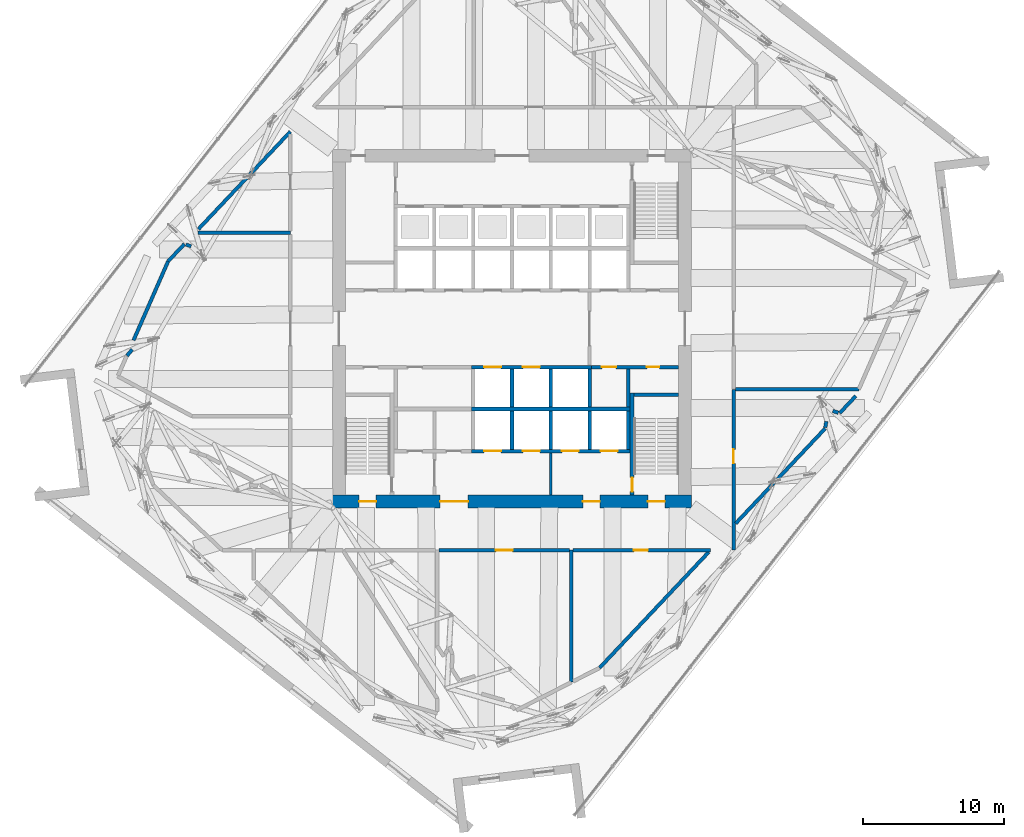
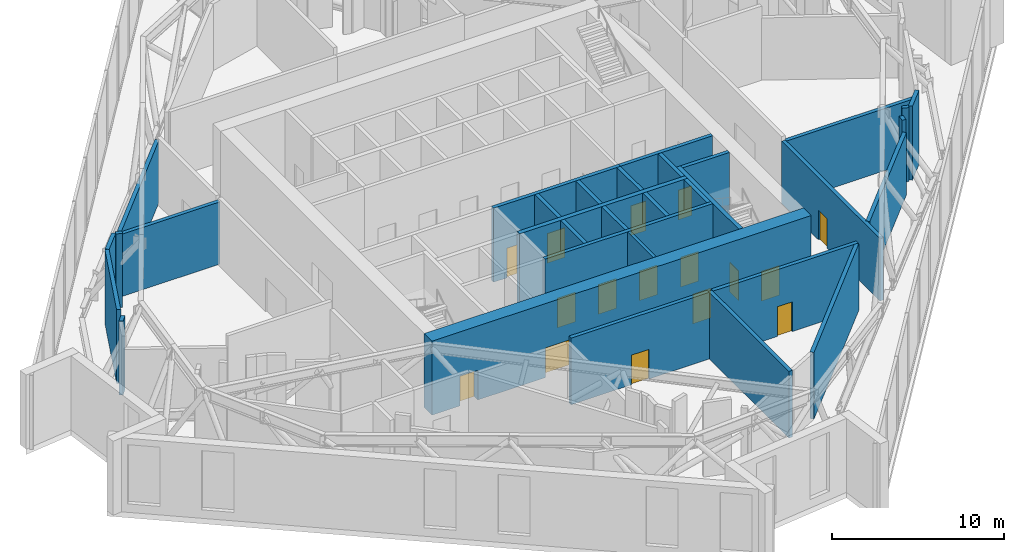
# One storey, part 13 of 23: 32 walls, 16 doors, 16 openings.
"""IFC4 building model written with IfcOpenShell, lengths in metres."""

from ifc_helpers import new_model, si_unit, direction, frame, frame_2d, origin, place, context, subcontext, project, spatial, rectangle, extrude, material, layer, layer_set, type_object, element, fill, save


model = new_model("IFC4")

# Units and contexts
model_context = context("Model", 3, precision=1e-05, world=origin(), true_north=direction((0.0, 1.0)))
body_context = subcontext(model_context, "Body", "Model", "MODEL_VIEW")
ifc_project = project(units=[si_unit("LENGTHUNIT", "METRE"), si_unit("AREAUNIT", "SQUARE_METRE"), si_unit("VOLUMEUNIT", "CUBIC_METRE"), si_unit("PLANEANGLEUNIT", "RADIAN"), si_unit("MASSUNIT", "GRAM", prefix="KILO")], contexts=[model_context])

# Site, building, storey
site_placement = place(None, origin())
site = spatial("IfcSite", under=ifc_project, at=site_placement, CompositionType="ELEMENT")
building_placement = place(site_placement, origin())
building = spatial("IfcBuilding", under=site, at=building_placement, Name="Dilmun Exchange Tower", CompositionType="ELEMENT")
storey_placement = place(building_placement, frame((0.0, 0.0, 237.300048828125)))
storey = spatial("IfcBuildingStorey", under=building, at=storey_placement, Name="L56", CompositionType="ELEMENT", Elevation=237.300048828125)

# Walls
ifc_material_1 = material(Name="Concrete C40/50", Category="concrete")
ifc_layer_1 = layer(ifc_material_1, 0.199951171875)
ifc_layer_set_1 = layer_set([ifc_layer_1], Name="Concrete C40/50")
wall_type_1 = type_object("IfcWallType", Name="Core partition wall 200", PredefinedType="PARTITIONING", material=ifc_layer_set_1)
wall_1_placement = place(storey_placement, frame((2.75, -11.794921875, 0.0), z_axis=(0.0, 0.0, 1.0), x_axis=(0.0, 1.0, 0.0)))
element("IfcWall", 1, at=wall_1_placement, inside=storey, type_object=wall_type_1, Name="L56 core partition wall 02", PredefinedType="PARTITIONING", context=body_context, shape_type="SweptSolid", body=[
    extrude(rectangle(XDim=2.989990234375, YDim=0.199951171875, at=frame_2d((1.4951171875, 0.0))), origin(), (0.0, 0.0, 1.0), 5.239990234375),
])
ifc_layer_2 = layer(ifc_material_1, 0.25)
ifc_layer_set_2 = layer_set([ifc_layer_2], Name="Concrete C40/50")
wall_type_2 = type_object("IfcWallType", Name="Core partition wall 250", PredefinedType="PARTITIONING", material=ifc_layer_set_2)
wall_2_placement = place(storey_placement, frame((8.25, -5.544921875, 0.0), z_axis=(0.0, 0.0, 1.0), x_axis=(0.0, 1.0, 0.0)))
element("IfcWall", 2, at=wall_2_placement, inside=storey, type_object=wall_type_2, Name="L56 core partition wall 08", PredefinedType="PARTITIONING", context=body_context, shape_type="SweptSolid", body=[
    extrude(rectangle(XDim=2.68994140625, YDim=0.25, at=frame_2d((1.344970703125, 0.0))), origin(), (0.0, 0.0, 1.0), 5.239990234375),
])

# Wall, openings, doors
wall_3_placement = place(storey_placement, frame((5.6298828125, -2.72509765625, 0.0), z_axis=(0.0, 0.0, 1.0), x_axis=(1.0, 0.0, 0.0)))
wall_3 = element("IfcWall", 3, at=wall_3_placement, inside=storey, type_object=wall_type_2, Name="L56 core partition wall 10", PredefinedType="PARTITIONING", context=body_context, shape_type="SweptSolid", body=[
    extrude(rectangle(XDim=6.1650390625, YDim=0.25, at=frame_2d((3.08251953125, 0.0))), origin(), (0.0, 0.0, 1.0), 5.239990234375),
])
opening_1_placement = place(wall_3_placement, frame((0.7451171875, 0.0, 0.0)))
opening_1 = element("IfcOpeningElement", 4, at=opening_1_placement, cuts=wall_3, Name="Opening CD4", PredefinedType="OPENING", context=body_context, shape_type="SweptSolid", body=[
    extrude(rectangle(XDim=1.0, YDim=2.10009765625, at=frame_2d((0.5, 1.050048828125))), frame((0.0, 0.135009765625, 0.0), z_axis=(0.0, -1.0, 0.0), x_axis=(1.0, 0.0, 0.0)), (0.0, 0.0, 1.0), 0.27001953125),
])
opening_2_placement = place(wall_3_placement, frame((3.919921875, 0.0, 0.0)))
opening_2 = element("IfcOpeningElement", 5, at=opening_2_placement, cuts=wall_3, Name="Opening CD6", PredefinedType="OPENING", context=body_context, shape_type="SweptSolid", body=[
    extrude(rectangle(XDim=0.89990234375, YDim=2.10009765625, at=frame_2d((0.449951171875, 1.050048828125))), frame((0.0, 0.135009765625, 0.0), z_axis=(0.0, -1.0, 0.0), x_axis=(1.0, 0.0, 0.0)), (0.0, 0.0, 1.0), 0.27001953125),
])
ifc_material_2 = material(Name="Fire-rated steel door set", Category="steel")
door_type_1 = type_object("IfcDoorType", Name="Core room door 1000x2100", OperationType="SINGLE_SWING_LEFT", PredefinedType="DOOR", material=ifc_material_2)
door_1_placement = place(opening_1_placement, origin())
door_1 = element("IfcDoor", 6, at=door_1_placement, inside=storey, type_object=door_type_1, Name="L56 door Cleaners' store", OperationType="SINGLE_SWING_LEFT", OverallHeight=2.10009765625, OverallWidth=1.0, PredefinedType="DOOR", context=body_context, shape_type="SweptSolid", body=[
    extrude(rectangle(XDim=1.0, YDim=2.10009765625, at=frame_2d((0.5, 1.050048828125))), frame((0.0, 0.02490234375, 0.0), z_axis=(0.0, -1.0, 0.0), x_axis=(1.0, 0.0, 0.0)), (0.0, 0.0, 1.0), 0.050048828125),
])
fill(opening_1, door_1)
door_type_2 = type_object("IfcDoorType", Name="Core room door 900x2100", OperationType="SINGLE_SWING_LEFT", PredefinedType="DOOR", material=ifc_material_2)
door_2_placement = place(opening_2_placement, origin())
door_2 = element("IfcDoor", 7, at=door_2_placement, inside=storey, type_object=door_type_2, Name="L56 door Comms riser", OperationType="SINGLE_SWING_LEFT", OverallHeight=2.10009765625, OverallWidth=0.89990234375, PredefinedType="DOOR", context=body_context, shape_type="SweptSolid", body=[
    extrude(rectangle(XDim=0.89990234375, YDim=2.10009765625, at=frame_2d((0.449951171875, 1.050048828125))), frame((0.0, 0.02490234375, 0.0), z_axis=(0.0, -1.0, 0.0), x_axis=(1.0, 0.0, 0.0)), (0.0, 0.0, 1.0), 0.050048828125),
])
fill(opening_2, door_2)

ifc_material_3 = material(Name="Concrete C60/75", Category="concrete")
ifc_layer_3 = layer(ifc_material_3, 0.89990234375)
ifc_layer_set_3 = layer_set([ifc_layer_3], Name="Concrete C60/75")
wall_type_3 = type_object("IfcWallType", Name="Core shear wall 900 Concrete C60/75", PredefinedType="SHEAR", material=ifc_layer_set_3)
wall_4_placement = place(storey_placement, frame((-12.699951171875, -12.25, 0.0), z_axis=(0.0, 0.0, 1.0), x_axis=(1.0, 0.0, 0.0)))
wall_4 = element("IfcWall", 8, at=wall_4_placement, inside=storey, type_object=wall_type_3, Name="L56 core shear wall S", PredefinedType="SHEAR", context=body_context, shape_type="SweptSolid", body=[
    extrude(rectangle(XDim=25.39990234375, YDim=0.89990234375, at=frame_2d((12.699951171875, 0.0))), origin(), (0.0, 0.0, 1.0), 5.239990234375),
])
opening_3_placement = place(wall_4_placement, frame((7.60009765625, 0.0, 0.0)))
opening_3 = element("IfcOpeningElement", 9, at=opening_3_placement, cuts=wall_4, Name="Opening CD2", PredefinedType="OPENING", context=body_context, shape_type="SweptSolid", body=[
    extrude(rectangle(XDim=2.0, YDim=2.10009765625, at=frame_2d((1.0, 1.050048828125))), frame((0.0, 0.4599609375, 0.0), z_axis=(0.0, -1.0, 0.0), x_axis=(1.0, 0.0, 0.0)), (0.0, 0.0, 1.0), 0.919921875),
])
opening_4_placement = place(wall_4_placement, frame((17.72509765625, 0.0, 0.0)))
opening_4 = element("IfcOpeningElement", 10, at=opening_4_placement, cuts=wall_4, Name="Opening CD3", PredefinedType="OPENING", context=body_context, shape_type="SweptSolid", body=[
    extrude(rectangle(XDim=1.199951171875, YDim=2.10009765625, at=frame_2d((0.60009765625, 1.050048828125))), frame((0.0, 0.4599609375, 0.0), z_axis=(0.0, -1.0, 0.0), x_axis=(1.0, 0.0, 0.0)), (0.0, 0.0, 1.0), 0.919921875),
])
opening_5_placement = place(wall_4_placement, frame((1.875, 0.0, 0.0)))
opening_5 = element("IfcOpeningElement", 11, at=opening_5_placement, cuts=wall_4, Name="Opening CD3", PredefinedType="OPENING", context=body_context, shape_type="SweptSolid", body=[
    extrude(rectangle(XDim=1.199951171875, YDim=2.10009765625, at=frame_2d((0.60009765625, 1.050048828125))), frame((0.0, 0.4599609375, 0.0), z_axis=(0.0, -1.0, 0.0), x_axis=(1.0, 0.0, 0.0)), (0.0, 0.0, 1.0), 0.919921875),
])
opening_6_placement = place(wall_4_placement, frame((22.324951171875, 0.0, 0.0)))
opening_6 = element("IfcOpeningElement", 12, at=opening_6_placement, cuts=wall_4, Name="Opening CD3", PredefinedType="OPENING", context=body_context, shape_type="SweptSolid", body=[
    extrude(rectangle(XDim=1.199951171875, YDim=2.10009765625, at=frame_2d((0.60009765625, 1.050048828125))), frame((0.0, 0.4599609375, 0.0), z_axis=(0.0, -1.0, 0.0), x_axis=(1.0, 0.0, 0.0)), (0.0, 0.0, 1.0), 0.919921875),
])
door_type_3 = type_object("IfcDoorType", Name="Core service door 2000x2100", OperationType="DOUBLE_DOOR_DOUBLE_SWING", PredefinedType="DOOR", material=ifc_material_2)
door_3_placement = place(opening_3_placement, origin())
door_3 = element("IfcDoor", 13, at=door_3_placement, inside=storey, type_object=door_type_3, Name="L56 door South service lobby", OperationType="SINGLE_SWING_LEFT", OverallHeight=2.10009765625, OverallWidth=2.0, PredefinedType="DOOR", context=body_context, shape_type="SweptSolid", body=[
    extrude(rectangle(XDim=2.0, YDim=2.10009765625, at=frame_2d((1.0, 1.050048828125))), frame((0.0, 0.02490234375, 0.0), z_axis=(0.0, -1.0, 0.0), x_axis=(1.0, 0.0, 0.0)), (0.0, 0.0, 1.0), 0.050048828125),
])
fill(opening_3, door_3)
door_type_4 = type_object("IfcDoorType", Name="Stair exit door 1200x2100", OperationType="SINGLE_SWING_LEFT", PredefinedType="DOOR", material=ifc_material_2)
door_4_placement = place(opening_4_placement, origin())
door_4 = element("IfcDoor", 14, at=door_4_placement, inside=storey, type_object=door_type_4, Name="L56 door Fire-fighting lobby", OperationType="SINGLE_SWING_LEFT", OverallHeight=2.10009765625, OverallWidth=1.199951171875, PredefinedType="DOOR", context=body_context, shape_type="SweptSolid", body=[
    extrude(rectangle(XDim=1.199951171875, YDim=2.10009765625, at=frame_2d((0.60009765625, 1.050048828125))), frame((0.0, 0.02490234375, 0.0), z_axis=(0.0, -1.0, 0.0), x_axis=(1.0, 0.0, 0.0)), (0.0, 0.0, 1.0), 0.050048828125),
])
fill(opening_4, door_4)
door_5_placement = place(opening_5_placement, origin())
door_5 = element("IfcDoor", 15, at=door_5_placement, inside=storey, type_object=door_type_4, Name="L56 door Stair ST2", OperationType="SINGLE_SWING_LEFT", OverallHeight=2.10009765625, OverallWidth=1.199951171875, PredefinedType="DOOR", context=body_context, shape_type="SweptSolid", body=[
    extrude(rectangle(XDim=1.199951171875, YDim=2.10009765625, at=frame_2d((0.60009765625, 1.050048828125))), frame((0.0, 0.02490234375, 0.0), z_axis=(0.0, -1.0, 0.0), x_axis=(1.0, 0.0, 0.0)), (0.0, 0.0, 1.0), 0.050048828125),
])
fill(opening_5, door_5)
door_6_placement = place(opening_6_placement, origin())
door_6 = element("IfcDoor", 16, at=door_6_placement, inside=storey, type_object=door_type_4, Name="L56 door Stair ST3", OperationType="SINGLE_SWING_LEFT", OverallHeight=2.10009765625, OverallWidth=1.199951171875, PredefinedType="DOOR", context=body_context, shape_type="SweptSolid", body=[
    extrude(rectangle(XDim=1.199951171875, YDim=2.10009765625, at=frame_2d((0.60009765625, 1.050048828125))), frame((0.0, 0.02490234375, 0.0), z_axis=(0.0, -1.0, 0.0), x_axis=(1.0, 0.0, 0.0)), (0.0, 0.0, 1.0), 0.050048828125),
])
fill(opening_6, door_6)

# Wall
ifc_layer_4 = layer(ifc_material_1, 0.300048828125)
ifc_layer_set_4 = layer_set([ifc_layer_4], Name="Concrete C40/50")
wall_type_4 = type_object("IfcWallType", Name="Lift shaft shared wall 300", PredefinedType="SOLIDWALL", material=ifc_layer_set_4)
wall_5_placement = place(storey_placement, frame((-2.875, -5.699951171875, 0.0), z_axis=(0.0, 0.0, 1.0), x_axis=(1.0, 0.0, 0.0)))
element("IfcWall", 17, at=wall_5_placement, inside=storey, type_object=wall_type_4, Name="L56 lift shaft rear wall S", PredefinedType="SOLIDWALL", context=body_context, shape_type="SweptSolid", body=[
    extrude(rectangle(XDim=11.25, YDim=0.300048828125, at=frame_2d((5.625, 0.0))), origin(), (0.0, 0.0, 1.0), 5.239990234375),
])

# Wall, openings, doors
ifc_layer_5 = layer(ifc_material_1, 0.25)
ifc_layer_set_5 = layer_set([ifc_layer_5], Name="Concrete C40/50")
wall_type_5 = type_object("IfcWallType", Name="Lift shaft wall 250", PredefinedType="SOLIDWALL", material=ifc_layer_set_5)
wall_6_placement = place(storey_placement, frame((-2.875, -2.72509765625, 0.0), z_axis=(0.0, 0.0, 1.0), x_axis=(1.0, 0.0, 0.0)))
wall_6 = element("IfcWall", 18, at=wall_6_placement, inside=storey, type_object=wall_type_5, Name="L56 lift shaft front wall S1", PredefinedType="SOLIDWALL", context=body_context, shape_type="SweptSolid", body=[
    extrude(rectangle(XDim=8.5, YDim=0.25, at=frame_2d((4.25, 0.0))), origin(), (0.0, 0.0, 1.0), 5.239990234375),
])
opening_7_placement = place(wall_6_placement, frame((0.89990234375, 0.0, 0.0)))
opening_7 = element("IfcOpeningElement", 19, at=opening_7_placement, cuts=wall_6, Name="Opening LD", PredefinedType="OPENING", context=body_context, shape_type="SweptSolid", body=[
    extrude(rectangle(XDim=1.199951171875, YDim=2.10009765625, at=frame_2d((0.60009765625, 1.050048828125))), frame((0.0, 0.135009765625, 0.0), z_axis=(0.0, -1.0, 0.0), x_axis=(1.0, 0.0, 0.0)), (0.0, 0.0, 1.0), 0.27001953125),
])
opening_8_placement = place(wall_6_placement, frame((3.64990234375, 0.0, 0.0)))
opening_8 = element("IfcOpeningElement", 20, at=opening_8_placement, cuts=wall_6, Name="Opening LD", PredefinedType="OPENING", context=body_context, shape_type="SweptSolid", body=[
    extrude(rectangle(XDim=1.199951171875, YDim=2.10009765625, at=frame_2d((0.60009765625, 1.050048828125))), frame((0.0, 0.135009765625, 0.0), z_axis=(0.0, -1.0, 0.0), x_axis=(1.0, 0.0, 0.0)), (0.0, 0.0, 1.0), 0.27001953125),
])
door_type_5 = type_object("IfcDoorType", Name="Lift landing door 1200x2100", OperationType="DOUBLE_DOOR_SLIDING", PredefinedType="DOOR", material=ifc_material_2)
door_7_placement = place(opening_7_placement, origin())
door_7 = element("IfcDoor", 21, at=door_7_placement, inside=storey, type_object=door_type_5, Name="L56 landing door SH56-1", OperationType="DOUBLE_DOOR_SLIDING", OverallHeight=2.10009765625, OverallWidth=1.199951171875, PredefinedType="DOOR", context=body_context, shape_type="SweptSolid", body=[
    extrude(rectangle(XDim=1.199951171875, YDim=2.10009765625, at=frame_2d((0.60009765625, 1.050048828125))), frame((0.0, 0.02490234375, 0.0), z_axis=(0.0, -1.0, 0.0), x_axis=(1.0, 0.0, 0.0)), (0.0, 0.0, 1.0), 0.050048828125),
])
fill(opening_7, door_7)
door_8_placement = place(opening_8_placement, origin())
door_8 = element("IfcDoor", 22, at=door_8_placement, inside=storey, type_object=door_type_5, Name="L56 landing door SH56-2", OperationType="DOUBLE_DOOR_SLIDING", OverallHeight=2.10009765625, OverallWidth=1.199951171875, PredefinedType="DOOR", context=body_context, shape_type="SweptSolid", body=[
    extrude(rectangle(XDim=1.199951171875, YDim=2.10009765625, at=frame_2d((0.60009765625, 1.050048828125))), frame((0.0, 0.02490234375, 0.0), z_axis=(0.0, -1.0, 0.0), x_axis=(1.0, 0.0, 0.0)), (0.0, 0.0, 1.0), 0.050048828125),
])
fill(opening_8, door_8)

# Walls
for number, where, z_axis, x_axis, name in (
    (23, (0.0, -5.550048828125, 0.0), (0.0, 0.0, 1.0), (0.0, 1.0, 0.0), "L56 lift shaft divider S13"),
    (24, (2.75, -5.550048828125, 0.0), (0.0, 0.0, 1.0), (0.0, 1.0, 0.0), "L56 lift shaft divider S14"),
    (25, (5.5, -5.550048828125, 0.0), (0.0, 0.0, 1.0), (0.0, 1.0, 0.0), "L56 lift shaft divider S15"),
):
    element("IfcWall", number, at=place(storey_placement, frame(where, z_axis=z_axis, x_axis=x_axis)), inside=storey, type_object=wall_type_5, Name=name, PredefinedType="SOLIDWALL", context=body_context, shape_type="SweptSolid", body=[
        extrude(rectangle(XDim=2.699951171875, YDim=0.25, at=frame_2d((1.35009765625, 0.0))), origin(), (0.0, 0.0, 1.0), 5.239990234375),
    ])

# Wall, openings, doors
wall_7_placement = place(storey_placement, frame((-2.875, -8.675048828125, 0.0), z_axis=(0.0, 0.0, 1.0), x_axis=(1.0, 0.0, 0.0)))
wall_7 = element("IfcWall", 26, at=wall_7_placement, inside=storey, type_object=wall_type_5, Name="L56 lift shaft front wall S2", PredefinedType="SOLIDWALL", context=body_context, shape_type="SweptSolid", body=[
    extrude(rectangle(XDim=11.25, YDim=0.25, at=frame_2d((5.625, 0.0))), origin(), (0.0, 0.0, 1.0), 5.239990234375),
])
opening_9_placement = place(wall_7_placement, frame((0.89990234375, 0.0, 0.0)))
opening_9 = element("IfcOpeningElement", 27, at=opening_9_placement, cuts=wall_7, Name="Opening LD", PredefinedType="OPENING", context=body_context, shape_type="SweptSolid", body=[
    extrude(rectangle(XDim=1.199951171875, YDim=2.10009765625, at=frame_2d((0.60009765625, 1.050048828125))), frame((0.0, 0.135009765625, 0.0), z_axis=(0.0, -1.0, 0.0), x_axis=(1.0, 0.0, 0.0)), (0.0, 0.0, 1.0), 0.27001953125),
])
opening_10_placement = place(wall_7_placement, frame((3.64990234375, 0.0, 0.0)))
opening_10 = element("IfcOpeningElement", 28, at=opening_10_placement, cuts=wall_7, Name="Opening LD", PredefinedType="OPENING", context=body_context, shape_type="SweptSolid", body=[
    extrude(rectangle(XDim=1.199951171875, YDim=2.10009765625, at=frame_2d((0.60009765625, 1.050048828125))), frame((0.0, 0.135009765625, 0.0), z_axis=(0.0, -1.0, 0.0), x_axis=(1.0, 0.0, 0.0)), (0.0, 0.0, 1.0), 0.27001953125),
])
opening_11_placement = place(wall_7_placement, frame((6.39990234375, 0.0, 0.0)))
opening_11 = element("IfcOpeningElement", 29, at=opening_11_placement, cuts=wall_7, Name="Opening LD", PredefinedType="OPENING", context=body_context, shape_type="SweptSolid", body=[
    extrude(rectangle(XDim=1.199951171875, YDim=2.10009765625, at=frame_2d((0.60009765625, 1.050048828125))), frame((0.0, 0.135009765625, 0.0), z_axis=(0.0, -1.0, 0.0), x_axis=(1.0, 0.0, 0.0)), (0.0, 0.0, 1.0), 0.27001953125),
])
opening_12_placement = place(wall_7_placement, frame((9.14990234375, 0.0, 0.0)))
opening_12 = element("IfcOpeningElement", 30, at=opening_12_placement, cuts=wall_7, Name="Opening LD", PredefinedType="OPENING", context=body_context, shape_type="SweptSolid", body=[
    extrude(rectangle(XDim=1.199951171875, YDim=2.10009765625, at=frame_2d((0.60009765625, 1.050048828125))), frame((0.0, 0.135009765625, 0.0), z_axis=(0.0, -1.0, 0.0), x_axis=(1.0, 0.0, 0.0)), (0.0, 0.0, 1.0), 0.27001953125),
])
door_9_placement = place(opening_9_placement, origin())
door_9 = element("IfcDoor", 31, at=door_9_placement, inside=storey, type_object=door_type_5, Name="L56 landing door SV1", OperationType="DOUBLE_DOOR_SLIDING", OverallHeight=2.10009765625, OverallWidth=1.199951171875, PredefinedType="DOOR", context=body_context, shape_type="SweptSolid", body=[
    extrude(rectangle(XDim=1.199951171875, YDim=2.10009765625, at=frame_2d((0.60009765625, 1.050048828125))), frame((0.0, 0.02490234375, 0.0), z_axis=(0.0, -1.0, 0.0), x_axis=(1.0, 0.0, 0.0)), (0.0, 0.0, 1.0), 0.050048828125),
])
fill(opening_9, door_9)
door_10_placement = place(opening_10_placement, origin())
door_10 = element("IfcDoor", 32, at=door_10_placement, inside=storey, type_object=door_type_5, Name="L56 landing door SV2", OperationType="DOUBLE_DOOR_SLIDING", OverallHeight=2.10009765625, OverallWidth=1.199951171875, PredefinedType="DOOR", context=body_context, shape_type="SweptSolid", body=[
    extrude(rectangle(XDim=1.199951171875, YDim=2.10009765625, at=frame_2d((0.60009765625, 1.050048828125))), frame((0.0, 0.02490234375, 0.0), z_axis=(0.0, -1.0, 0.0), x_axis=(1.0, 0.0, 0.0)), (0.0, 0.0, 1.0), 0.050048828125),
])
fill(opening_10, door_10)
door_11_placement = place(opening_11_placement, origin())
door_11 = element("IfcDoor", 33, at=door_11_placement, inside=storey, type_object=door_type_5, Name="L56 landing door FF1", OperationType="DOUBLE_DOOR_SLIDING", OverallHeight=2.10009765625, OverallWidth=1.199951171875, PredefinedType="DOOR", context=body_context, shape_type="SweptSolid", body=[
    extrude(rectangle(XDim=1.199951171875, YDim=2.10009765625, at=frame_2d((0.60009765625, 1.050048828125))), frame((0.0, 0.02490234375, 0.0), z_axis=(0.0, -1.0, 0.0), x_axis=(1.0, 0.0, 0.0)), (0.0, 0.0, 1.0), 0.050048828125),
])
fill(opening_11, door_11)
door_12_placement = place(opening_12_placement, origin())
door_12 = element("IfcDoor", 34, at=door_12_placement, inside=storey, type_object=door_type_5, Name="L56 landing door FF2", OperationType="DOUBLE_DOOR_SLIDING", OverallHeight=2.10009765625, OverallWidth=1.199951171875, PredefinedType="DOOR", context=body_context, shape_type="SweptSolid", body=[
    extrude(rectangle(XDim=1.199951171875, YDim=2.10009765625, at=frame_2d((0.60009765625, 1.050048828125))), frame((0.0, 0.02490234375, 0.0), z_axis=(0.0, -1.0, 0.0), x_axis=(1.0, 0.0, 0.0)), (0.0, 0.0, 1.0), 0.050048828125),
])
fill(opening_12, door_12)

# Walls
for number, where, z_axis, x_axis, name in (
    (35, (0.0, -8.550048828125, 0.0), (0.0, 0.0, 1.0), (0.0, 1.0, 0.0), "L56 lift shaft divider S23"),
    (36, (2.75, -8.550048828125, 0.0), (0.0, 0.0, 1.0), (0.0, 1.0, 0.0), "L56 lift shaft divider S24"),
    (37, (5.5, -8.550048828125, 0.0), (0.0, 0.0, 1.0), (0.0, 1.0, 0.0), "L56 lift shaft divider S25"),
    (38, (8.25, -8.550048828125, 0.0), (0.0, 0.0, 1.0), (0.0, 1.0, 0.0), "L56 lift shaft divider S26"),
):
    element("IfcWall", number, at=place(storey_placement, frame(where, z_axis=z_axis, x_axis=x_axis)), inside=storey, type_object=wall_type_5, Name=name, PredefinedType="SOLIDWALL", context=body_context, shape_type="SweptSolid", body=[
        extrude(rectangle(XDim=2.699951171875, YDim=0.25, at=frame_2d((1.35009765625, 0.0))), origin(), (0.0, 0.0, 1.0), 5.239990234375),
    ])
ifc_material_4 = material(Name="Concrete C32/40", Category="concrete")
ifc_layer_6 = layer(ifc_material_4, 0.25)
ifc_layer_set_6 = layer_set([ifc_layer_6], Name="Concrete C32/40")
wall_type_6 = type_object("IfcWallType", Name="Plant room wall 250", PredefinedType="PARTITIONING", material=ifc_layer_set_6)
wall_8_placement = place(storey_placement, frame((4.199951171875, -25.048583984375, 0.0), z_axis=(0.0, 0.0, 1.0), x_axis=(0.0, 1.0, 0.0)))
element("IfcWall", 39, at=wall_8_placement, inside=storey, type_object=wall_type_6, Name="L56 plant room wall 07", PredefinedType="PARTITIONING", context=body_context, shape_type="SweptSolid", body=[
    extrude(rectangle(XDim=9.3486328125, YDim=0.25, at=frame_2d((4.67431640625, 0.0))), origin(), (0.0, 0.0, 1.0), 4.719970703125),
])

# Wall, opening, door
wall_9_placement = place(storey_placement, frame((-5.169921875, -15.699951171875, 0.0), z_axis=(0.0, 0.0, 1.0), x_axis=(1.0, 0.0, 0.0)))
wall_9 = element("IfcWall", 40, at=wall_9_placement, inside=storey, type_object=wall_type_6, Name="L56 plant room wall 24", PredefinedType="PARTITIONING", context=body_context, shape_type="SweptSolid", body=[
    extrude(rectangle(XDim=9.239990234375, YDim=0.25, at=frame_2d((4.6201171875, 0.0))), origin(), (0.0, 0.0, 1.0), 4.719970703125),
])
opening_13_placement = place(wall_9_placement, frame((4.02001953125, 0.0, 0.0)))
opening_13 = element("IfcOpeningElement", 41, at=opening_13_placement, cuts=wall_9, Name="Opening PD2", PredefinedType="OPENING", context=body_context, shape_type="SweptSolid", body=[
    extrude(rectangle(XDim=1.199951171875, YDim=2.10009765625, at=frame_2d((0.60009765625, 1.050048828125))), frame((0.0, 0.135009765625, 0.0), z_axis=(0.0, -1.0, 0.0), x_axis=(1.0, 0.0, 0.0)), (0.0, 0.0, 1.0), 0.27001953125),
])
door_type_6 = type_object("IfcDoorType", Name="Plant room door 1200x2100", OperationType="SINGLE_SWING_LEFT", PredefinedType="DOOR", material=ifc_material_2)
door_13_placement = place(opening_13_placement, origin())
door_13 = element("IfcDoor", 42, at=door_13_placement, inside=storey, type_object=door_type_6, Name="L56 door Refuge area", OperationType="SINGLE_SWING_LEFT", OverallHeight=2.10009765625, OverallWidth=1.199951171875, PredefinedType="DOOR", context=body_context, shape_type="SweptSolid", body=[
    extrude(rectangle(XDim=1.199951171875, YDim=2.10009765625, at=frame_2d((0.60009765625, 1.050048828125))), frame((0.0, 0.02490234375, 0.0), z_axis=(0.0, -1.0, 0.0), x_axis=(1.0, 0.0, 0.0)), (0.0, 0.0, 1.0), 0.050048828125),
])
fill(opening_13, door_13)

wall_10_placement = place(storey_placement, frame((4.330078125, -15.699951171875, 0.0), z_axis=(0.0, 0.0, 1.0), x_axis=(1.0, 0.0, 0.0)))
wall_10 = element("IfcWall", 43, at=wall_10_placement, inside=storey, type_object=wall_type_6, Name="L56 plant room wall 25", PredefinedType="PARTITIONING", context=body_context, shape_type="SweptSolid", body=[
    extrude(rectangle(XDim=9.72998046875, YDim=0.25, at=frame_2d((4.864990234375, 0.0))), origin(), (0.0, 0.0, 1.0), 4.719970703125),
])
opening_14_placement = place(wall_10_placement, frame((4.300048828125, 0.0, 0.0)))
opening_14 = element("IfcOpeningElement", 44, at=opening_14_placement, cuts=wall_10, Name="Opening PD1", PredefinedType="OPENING", context=body_context, shape_type="SweptSolid", body=[
    extrude(rectangle(XDim=1.0, YDim=2.10009765625, at=frame_2d((0.5, 1.050048828125))), frame((0.0, 0.135009765625, 0.0), z_axis=(0.0, -1.0, 0.0), x_axis=(1.0, 0.0, 0.0)), (0.0, 0.0, 1.0), 0.27001953125),
])
door_type_7 = type_object("IfcDoorType", Name="Plant room door 1000x2100", OperationType="SINGLE_SWING_LEFT", PredefinedType="DOOR", material=ifc_material_2)
door_14_placement = place(opening_14_placement, origin())
door_14 = element("IfcDoor", 45, at=door_14_placement, inside=storey, type_object=door_type_7, Name="L56 door Comms plant room", OperationType="SINGLE_SWING_RIGHT", OverallHeight=2.10009765625, OverallWidth=1.0, PredefinedType="DOOR", context=body_context, shape_type="SweptSolid", body=[
    extrude(rectangle(XDim=1.0, YDim=2.10009765625, at=frame_2d((0.5, 1.050048828125))), frame((0.0, 0.02490234375, 0.0), z_axis=(0.0, -1.0, 0.0), x_axis=(1.0, 0.0, 0.0)), (0.0, 0.0, 1.0), 0.050048828125),
])
fill(opening_14, door_14)

# Wall
wall_11_placement = place(storey_placement, frame((6.203369140625, -24.03515625, 0.0), z_axis=(0.0, 0.0, 1.0), x_axis=(0.685914941738, 0.727681724863, 0.0)))
element("IfcWall", 46, at=wall_11_placement, inside=storey, type_object=wall_type_6, Name="L56 plant room wall 26", PredefinedType="PARTITIONING", context=body_context, shape_type="SweptSolid", body=[
    extrude(rectangle(XDim=11.275634765625, YDim=0.25, at=frame_2d((5.6376953125, 0.0))), origin(), (0.0, 0.0, 1.0), 4.719970703125),
])

# Wall, opening, door
wall_12_placement = place(storey_placement, frame((15.699951171875, -15.699951171875, 0.0), z_axis=(0.0, 0.0, 1.0), x_axis=(0.0, 1.0, 0.0)))
wall_12 = element("IfcWall", 47, at=wall_12_placement, inside=storey, type_object=wall_type_6, Name="L56 plant room wall 27", PredefinedType="PARTITIONING", context=body_context, shape_type="SweptSolid", body=[
    extrude(rectangle(XDim=11.39990234375, YDim=0.25, at=frame_2d((5.699951171875, 0.0))), origin(), (0.0, 0.0, 1.0), 4.406005859375),
])
opening_15_placement = place(wall_12_placement, frame((6.14990234375, 0.0, 0.0)))
opening_15 = element("IfcOpeningElement", 48, at=opening_15_placement, cuts=wall_12, Name="Opening PD1", PredefinedType="OPENING", context=body_context, shape_type="SweptSolid", body=[
    extrude(rectangle(XDim=1.0, YDim=2.10009765625, at=frame_2d((0.5, 1.050048828125))), frame((0.0, 0.135009765625, 0.0), z_axis=(0.0, -1.0, 0.0), x_axis=(1.0, 0.0, 0.0)), (0.0, 0.0, 1.0), 0.27001953125),
])
door_15_placement = place(opening_15_placement, origin())
door_15 = element("IfcDoor", 49, at=door_15_placement, inside=storey, type_object=door_type_7, Name="L56 door Plant BMS control room", OperationType="SINGLE_SWING_LEFT", OverallHeight=2.10009765625, OverallWidth=1.0, PredefinedType="DOOR", context=body_context, shape_type="SweptSolid", body=[
    extrude(rectangle(XDim=1.0, YDim=2.10009765625, at=frame_2d((0.5, 1.050048828125))), frame((0.0, 0.02490234375, 0.0), z_axis=(0.0, -1.0, 0.0), x_axis=(1.0, 0.0, 0.0)), (0.0, 0.0, 1.0), 0.050048828125),
])
fill(opening_15, door_15)

# Walls
wall_13_placement = place(storey_placement, frame((15.850830078125, -13.800048828125, 0.0), z_axis=(0.0, 0.0, 1.0), x_axis=(0.685913359508, 0.727683216275, 0.0)))
element("IfcWall", 50, at=wall_13_placement, inside=storey, type_object=wall_type_6, Name="L56 plant room wall 39", PredefinedType="PARTITIONING", context=body_context, shape_type="SweptSolid", body=[
    extrude(rectangle(XDim=9.24072265625, YDim=0.25, at=frame_2d((4.620361328125, 0.0))), origin(), (0.0, 0.0, 1.0), 4.406005859375),
])
wall_14_placement = place(storey_placement, frame((22.198974609375, -7.01025390625, 0.0), z_axis=(0.0, 0.0, 1.0), x_axis=(0.146409547937, 0.989224061714, 0.0)))
element("IfcWall", 51, at=wall_14_placement, inside=storey, type_object=wall_type_6, Name="L56 plant room wall 40", PredefinedType="PARTITIONING", context=body_context, shape_type="SweptSolid", body=[
    extrude(rectangle(XDim=0.4453125, YDim=0.25, at=frame_2d((0.22265625, 0.0))), origin(), (0.0, 0.0, 1.0), 5.239990234375),
])
wall_15_placement = place(storey_placement, frame((22.7294921875, -5.83203125, 0.0), z_axis=(0.0, 0.0, 1.0), x_axis=(0.949400086722, -0.314069220607, 0.0)))
element("IfcWall", 52, at=wall_15_placement, inside=storey, type_object=wall_type_6, Name="L56 plant room wall 44", PredefinedType="PARTITIONING", context=body_context, shape_type="SweptSolid", body=[
    extrude(rectangle(XDim=0.4072265625, YDim=0.25, at=frame_2d((0.20361328125, 0.0))), origin(), (0.0, 0.0, 1.0), 5.239990234375),
])
wall_16_placement = place(storey_placement, frame((23.21923828125, -5.98291015625, 0.0), z_axis=(0.0, 0.0, 1.0), x_axis=(0.685939801415, 0.727658291257, 0.0)))
element("IfcWall", 53, at=wall_16_placement, inside=storey, type_object=wall_type_6, Name="L56 plant room wall 45", PredefinedType="PARTITIONING", context=body_context, shape_type="SweptSolid", body=[
    extrude(rectangle(XDim=1.66796875, YDim=0.25, at=frame_2d((0.833984375, 0.0))), origin(), (0.0, 0.0, 1.0), 5.239990234375),
])
wall_17_placement = place(storey_placement, frame((15.830078125, -4.300048828125, 0.0), z_axis=(0.0, 0.0, 1.0), x_axis=(1.0, 0.0, 0.0)))
element("IfcWall", 54, at=wall_17_placement, inside=storey, type_object=wall_type_6, Name="L56 plant room wall 47", PredefinedType="PARTITIONING", context=body_context, shape_type="SweptSolid", body=[
    extrude(rectangle(XDim=8.73876953125, YDim=0.25, at=frame_2d((4.369384765625, 0.0))), origin(), (0.0, 0.0, 1.0), 4.406005859375),
])
wall_18_placement = place(storey_placement, frame((-27.283203125, -1.92529296875, 0.0), z_axis=(0.0, 0.0, 1.0), x_axis=(0.647014435149, 0.76247775096, 0.0)))
element("IfcWall", 55, at=wall_18_placement, inside=storey, type_object=wall_type_6, Name="L56 plant room wall 49", PredefinedType="PARTITIONING", context=body_context, shape_type="SweptSolid", body=[
    extrude(rectangle(XDim=0.58154296875, YDim=0.25, at=frame_2d((0.290771484375, 0.0))), origin(), (0.0, 0.0, 1.0), 5.239990234375),
])
wall_19_placement = place(storey_placement, frame((-26.815185546875, -0.82861328125, 0.0), z_axis=(0.0, 0.0, 1.0), x_axis=(0.401206498636, 0.915987633897, 0.0)))
element("IfcWall", 56, at=wall_19_placement, inside=storey, type_object=wall_type_6, Name="L56 plant room wall 50", PredefinedType="PARTITIONING", context=body_context, shape_type="SweptSolid", body=[
    extrude(rectangle(XDim=6.111328125, YDim=0.25, at=frame_2d((3.0556640625, 0.0))), origin(), (0.0, 0.0, 1.0), 5.239990234375),
])
wall_20_placement = place(storey_placement, frame((-24.359619140625, 4.77294921875, 0.0), z_axis=(0.0, 0.0, 1.0), x_axis=(0.685873917807, 0.727720391959, 0.0)))
element("IfcWall", 57, at=wall_20_placement, inside=storey, type_object=wall_type_6, Name="L56 plant room wall 54", PredefinedType="PARTITIONING", context=body_context, shape_type="SweptSolid", body=[
    extrude(rectangle(XDim=1.67431640625, YDim=0.25, at=frame_2d((0.837158203125, 0.0))), origin(), (0.0, 0.0, 1.0), 5.239990234375),
])
wall_21_placement = place(storey_placement, frame((-23.10498046875, 5.956298828125, 0.0), z_axis=(0.0, 0.0, 1.0), x_axis=(0.949360107339, -0.314190048528, 0.0)))
element("IfcWall", 58, at=wall_21_placement, inside=storey, type_object=wall_type_6, Name="L56 plant room wall 55", PredefinedType="PARTITIONING", context=body_context, shape_type="SweptSolid", body=[
    extrude(rectangle(XDim=0.3955078125, YDim=0.25, at=frame_2d((0.19775390625, 0.0))), origin(), (0.0, 0.0, 1.0), 5.239990234375),
])
wall_22_placement = place(storey_placement, frame((-22.22998046875, 6.800048828125, 0.0), z_axis=(0.0, 0.0, 1.0), x_axis=(1.0, 0.0, 0.0)))
element("IfcWall", 59, at=wall_22_placement, inside=storey, type_object=wall_type_6, Name="L56 plant room wall 56", PredefinedType="PARTITIONING", context=body_context, shape_type="SweptSolid", body=[
    extrude(rectangle(XDim=6.530029296875, YDim=0.25, at=frame_2d((3.26513671875, 0.0))), origin(), (0.0, 0.0, 1.0), 4.406005859375),
])
wall_23_placement = place(storey_placement, frame((-22.2177734375, 7.04541015625, 0.0), z_axis=(0.0, 0.0, 1.0), x_axis=(0.685910269878, 0.727686128544, 0.0)))
element("IfcWall", 60, at=wall_23_placement, inside=storey, type_object=wall_type_6, Name="L56 plant room wall 58", PredefinedType="PARTITIONING", context=body_context, shape_type="SweptSolid", body=[
    extrude(rectangle(XDim=9.50244140625, YDim=0.25, at=frame_2d((4.751220703125, 0.0))), origin(), (0.0, 0.0, 1.0), 4.406005859375),
])
ifc_layer_7 = layer(ifc_material_1, 0.25)
ifc_layer_set_7 = layer_set([ifc_layer_7], Name="Concrete C40/50")
wall_type_7 = type_object("IfcWallType", Name="Stair end wall 250", PredefinedType="SOLIDWALL", material=ifc_layer_set_7)
wall_24_placement = place(storey_placement, frame((8.64990234375, -4.675048828125, 0.0), z_axis=(0.0, 0.0, 1.0), x_axis=(1.0, 0.0, 0.0)))
element("IfcWall", 61, at=wall_24_placement, inside=storey, type_object=wall_type_7, Name="L56 ST3 far wall", PredefinedType="SOLIDWALL", context=body_context, shape_type="SweptSolid", body=[
    extrude(rectangle(XDim=3.150146484375, YDim=0.25, at=frame_2d((1.5751953125, 0.0))), origin(), (0.0, 0.0, 1.0), 5.239990234375),
])

# Wall, opening, door
ifc_layer_8 = layer(ifc_material_1, 0.27490234375)
ifc_layer_set_8 = layer_set([ifc_layer_8], Name="Concrete C40/50")
wall_type_8 = type_object("IfcWallType", Name="Stair wall 275", PredefinedType="SOLIDWALL", material=ifc_layer_set_8)
wall_25_placement = place(storey_placement, frame((8.512451171875, -4.550048828125, 0.0), z_axis=(0.0, 0.0, 1.0), x_axis=(0.0, -1.0, 0.0)))
wall_25 = element("IfcWall", 62, at=wall_25_placement, inside=storey, type_object=wall_type_8, Name="L56 ST3 wall to lift block", PredefinedType="SOLIDWALL", context=body_context, shape_type="SweptSolid", body=[
    extrude(rectangle(XDim=7.25, YDim=0.27490234375, at=frame_2d((3.625, 0.0))), origin(), (0.0, 0.0, 1.0), 5.239990234375),
])
opening_16_placement = place(wall_25_placement, frame((6.0, 0.0, 0.0)))
opening_16 = element("IfcOpeningElement", 63, at=opening_16_placement, cuts=wall_25, Name="Opening CD4", PredefinedType="OPENING", context=body_context, shape_type="SweptSolid", body=[
    extrude(rectangle(XDim=1.0, YDim=2.10009765625, at=frame_2d((0.5, 1.050048828125))), frame((0.0, 0.1474609375, 0.0), z_axis=(0.0, -1.0, 0.0), x_axis=(1.0, 0.0, 0.0)), (0.0, 0.0, 1.0), 0.294921875),
])
door_16_placement = place(opening_16_placement, origin())
door_16 = element("IfcDoor", 64, at=door_16_placement, inside=storey, type_object=door_type_1, Name="L56 door ST3 from lobby", OperationType="SINGLE_SWING_LEFT", OverallHeight=2.10009765625, OverallWidth=1.0, PredefinedType="DOOR", context=body_context, shape_type="SweptSolid", body=[
    extrude(rectangle(XDim=1.0, YDim=2.10009765625, at=frame_2d((0.5, 1.050048828125))), frame((0.0, 0.02490234375, 0.0), z_axis=(0.0, -1.0, 0.0), x_axis=(1.0, 0.0, 0.0)), (0.0, 0.0, 1.0), 0.050048828125),
])
fill(opening_16, door_16)

save(model, "model.ifc")
